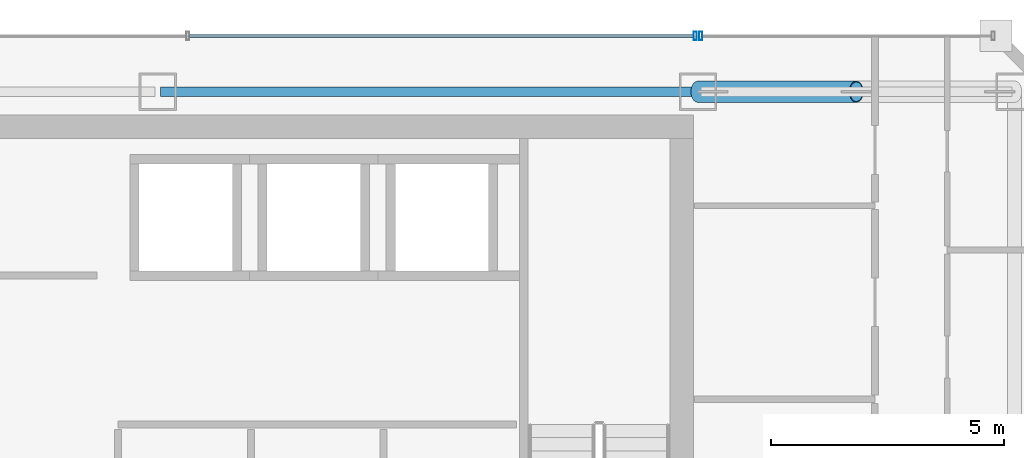
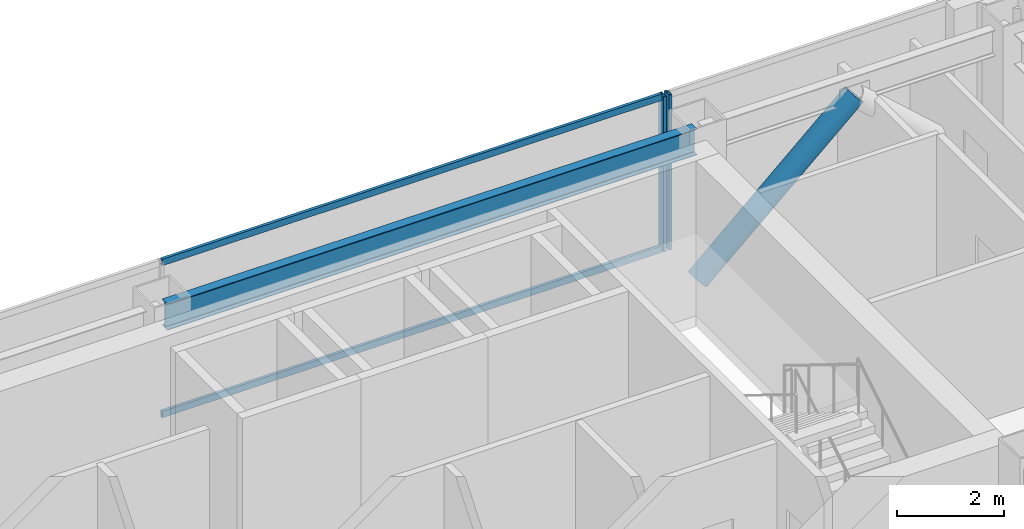
# One storey, part 26 of 36: 5 members, 1 beam, 2 elements without a shape of their own.
"""IFC4 building model written with IfcOpenShell, lengths in metres."""

from ifc_helpers import new_model, si_unit, direction, frame, origin, origin_2d, place, context, subcontext, project, spatial, hollow_rectangle, hollow_circle, i_section, extrude, material, material_profile, profile_set, type_object, element, aggregate, save


model = new_model("IFC4")

# Units and contexts
model_context = context("Model", 3, precision=1e-05, world=origin(), true_north=direction((0.0, 1.0)))
body_context = subcontext(model_context, "Body", "Model", "MODEL_VIEW")
ifc_project = project(units=[si_unit("LENGTHUNIT", "METRE"), si_unit("AREAUNIT", "SQUARE_METRE"), si_unit("VOLUMEUNIT", "CUBIC_METRE"), si_unit("PLANEANGLEUNIT", "RADIAN"), si_unit("MASSUNIT", "GRAM", prefix="KILO")], contexts=[model_context])

# Site, building, storey
site_placement = place(None, origin())
site = spatial("IfcSite", under=ifc_project, at=site_placement, CompositionType="ELEMENT")
building_placement = place(site_placement, origin())
building = spatial("IfcBuilding", under=site, at=building_placement, Name="Saevonmaru Cultural Tower", CompositionType="ELEMENT")
storey_placement = place(building_placement, frame((0.0, 0.0, 201.800048828125)))
storey = spatial("IfcBuildingStorey", under=building, at=storey_placement, Name="L46", CompositionType="ELEMENT", Elevation=201.800048828125)

# Beam
ifc_material_1 = material(Name="Steel SM355", Category="steel")
ifc_material_profile_1 = material_profile(ifc_material_1, i_section(OverallWidth=0.199951171875, OverallDepth=0.60009765625, WebThickness=0.010986328125, FlangeThickness=0.01708984375, FilletRadius=0.02197265625, at=origin_2d()), Name="H-600x200x11x17")
ifc_profile_set_1 = profile_set([ifc_material_profile_1], Name="Steel SM355")
beam_type = type_object("IfcBeamType", Name="BM-SP-H600", PredefinedType="SPANDREL", material=ifc_profile_set_1)
beam_placement = place(storey_placement, frame((34.860107421875, 54.800048828125, 3.25), z_axis=(1.0, 0.0, 0.0), x_axis=(0.0, 1.0, 0.0)))
element("IfcBeam", 1, at=beam_placement, inside=storey, type_object=beam_type, Name="L46 North Spine Girder 4", PredefinedType="SPANDREL", context=body_context, shape_type="SweptSolid", body=[
    extrude(i_section(OverallWidth=0.199951171875, OverallDepth=0.60009765625, WebThickness=0.010986328125, FlangeThickness=0.01708984375, FilletRadius=0.02197265625, at=origin_2d()), origin(), (0.0, 0.0, 1.0), 11.47998046875),
])

# Member
ifc_material_2 = material(Name="Steel SM420", Category="steel")
ifc_material_profile_2 = material_profile(ifc_material_2, hollow_circle(Radius=0.228515625, WallThickness=0.02001953125, at=origin_2d()), Name="CHS-457.2x20")
ifc_profile_set_2 = profile_set([ifc_material_profile_2], Name="Steel SM420")
member_type_1 = type_object("IfcMemberType", Name="MB-PBR-CHS457", PredefinedType="BRACE", material=ifc_profile_set_2)
member_1_placement = place(storey_placement, frame((46.39990234375, 54.800048828125, 0.02001953125), z_axis=(0.744390779303, 0.0, 0.66774423823), x_axis=(0.0, 1.0, 0.0)))
element("IfcMember", 2, at=member_1_placement, inside=storey, type_object=member_type_1, Name="L46 Perimeter Braced-Tube Diagonal EN1", PredefinedType="BRACE", context=body_context, shape_type="SweptSolid", body=[
    extrude(hollow_circle(Radius=0.228515625, WallThickness=0.02001953125, at=origin_2d()), origin(), (0.0, 0.0, 1.0), 4.567626953125),
])

# Curtain wall, member
ifc_material_3 = material(Name="Satin Bronze Anodised Aluminium", Category="aluminium")
curtain_wall_type = type_object("IfcCurtainWallType", Name="CW-TYP-B", PredefinedType="NOTDEFINED", material=ifc_material_3)
curtain_wall_1_placement = place(storey_placement, origin())
curtain_wall_1 = element("IfcCurtainWall", 3, at=curtain_wall_1_placement, inside=storey, type_object=curtain_wall_type, Name="L46 East Braced Bay Spandrel Curtain Wall E10A", PredefinedType="NOTDEFINED")
ifc_material_profile_3 = material_profile(ifc_material_3, hollow_rectangle(XDim=0.06494140625, YDim=0.179931640625, WallThickness=0.00390625, at=origin_2d()), Name="ALU-MULL-180x65x4")
ifc_profile_set_3 = profile_set([ifc_material_profile_3], Name="Satin Bronze Anodised Aluminium")
member_type_2 = type_object("IfcMemberType", Name="ML-CW-180x65", PredefinedType="MULLION", material=ifc_profile_set_3)
member_2_placement = place(storey_placement, frame((46.4599609375, 56.0, 0.0), z_axis=(0.0, 0.0, 1.0), x_axis=(-1.0, 0.0, 0.0)))
member_2 = element("IfcMember", 4, at=member_2_placement, type_object=member_type_2, Name="CW-TW-L46-E10A mullion 2", PredefinedType="MULLION", context=body_context, shape_type="SweptSolid", body=[
    extrude(hollow_rectangle(XDim=0.06494140625, YDim=0.179931640625, WallThickness=0.00390625, at=origin_2d()), origin(), (0.0, 0.0, 1.0), 3.550048828125),
])
aggregate(curtain_wall_1, [member_2])

# Curtain wall, members
curtain_wall_2_placement = place(storey_placement, origin())
curtain_wall_2 = element("IfcCurtainWall", 5, at=curtain_wall_2_placement, inside=storey, type_object=curtain_wall_type, Name="L46 North Spine Unitised Curtain Wall E10B", PredefinedType="NOTDEFINED")
member_3_placement = place(storey_placement, frame((46.340087890625, 56.0, 0.0), z_axis=(0.0, 0.0, 1.0), x_axis=(-1.0, 0.0, 0.0)))
member_3 = element("IfcMember", 6, at=member_3_placement, type_object=member_type_2, Name="CW-TW-L46-E10B mullion 1", PredefinedType="MULLION", context=body_context, shape_type="SweptSolid", body=[
    extrude(hollow_rectangle(XDim=0.06494140625, YDim=0.179931640625, WallThickness=0.00390625, at=origin_2d()), origin(), (0.0, 0.0, 1.0), 3.550048828125),
])
ifc_material_profile_4 = material_profile(ifc_material_3, hollow_rectangle(XDim=0.06494140625, YDim=0.14990234375, WallThickness=0.00390625, at=origin_2d()), Name="ALU-TRAN-150x65x4")
ifc_profile_set_4 = profile_set([ifc_material_profile_4], Name="Satin Bronze Anodised Aluminium")
member_type_3 = type_object("IfcMemberType", Name="TR-CW-150x65", PredefinedType="USERDEFINED", material=ifc_profile_set_4)
member_4_placement = place(storey_placement, frame((46.3076171875, 56.0, 0.032470703125), z_axis=(-1.0, 0.0, 0.0), x_axis=(0.0, -1.0, 0.0)))
member_4 = element("IfcMember", 7, at=member_4_placement, type_object=member_type_3, Name="CW-TW-L46-E10B transom 1.1", ObjectType="TRANSOM", PredefinedType="USERDEFINED", context=body_context, shape_type="SweptSolid", body=[
    extrude(hollow_rectangle(XDim=0.06494140625, YDim=0.14990234375, WallThickness=0.00390625, at=origin_2d()), origin(), (0.0, 0.0, 1.0), 10.828369140625),
])
member_5_placement = place(storey_placement, frame((46.3076171875, 56.0, 3.517333984375), z_axis=(-1.0, 0.0, 0.0), x_axis=(0.0, -1.0, 0.0)))
member_5 = element("IfcMember", 8, at=member_5_placement, type_object=member_type_3, Name="CW-TW-L46-E10B transom 1.2", ObjectType="TRANSOM", PredefinedType="USERDEFINED", context=body_context, shape_type="SweptSolid", body=[
    extrude(hollow_rectangle(XDim=0.06494140625, YDim=0.14990234375, WallThickness=0.00390625, at=origin_2d()), origin(), (0.0, 0.0, 1.0), 10.828369140625),
])
aggregate(curtain_wall_2, [member_3, member_4, member_5])

save(model, "model.ifc")
